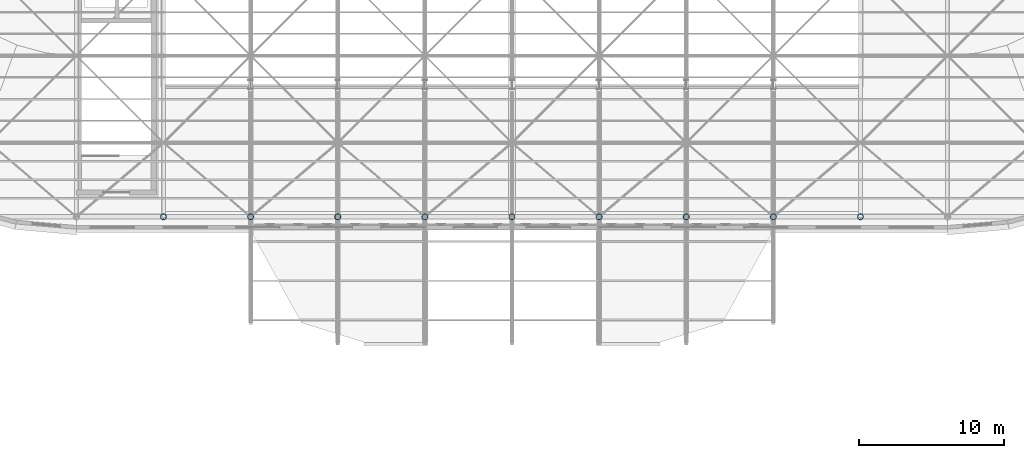
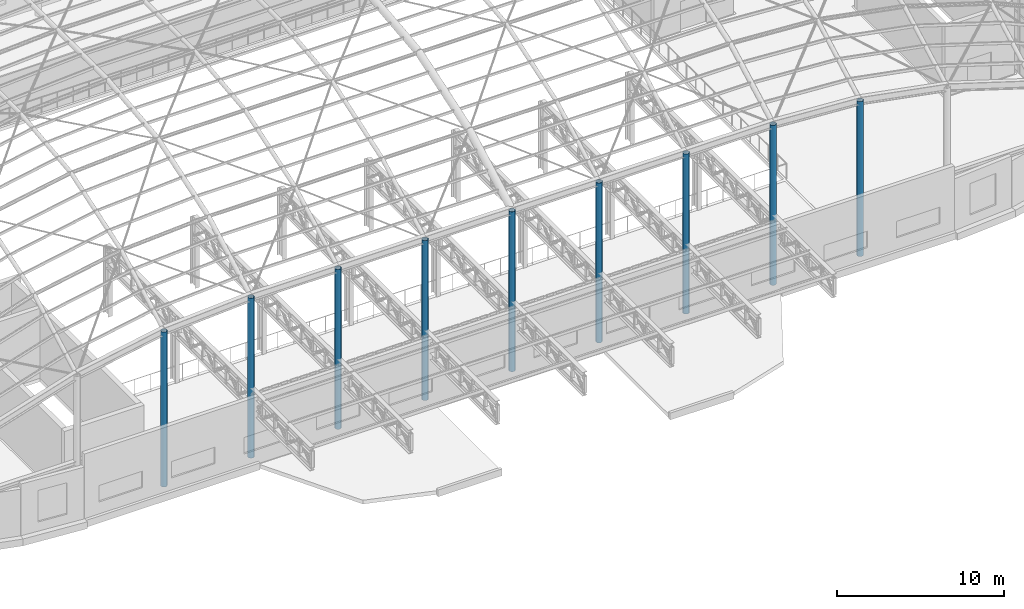
# One storey, part 5 of 75: 9 columns.
"""IFC4 building model written with IfcOpenShell, lengths in metres."""

from ifc_helpers import new_model, si_unit, direction, frame, origin, origin_2d, place, context, subcontext, project, spatial, hollow_circle, extrude, material, material_profile, profile_set, type_object, element, save


model = new_model("IFC4")

# Units and contexts
model_context = context("Model", 3, precision=1e-05, world=origin(), true_north=direction((0.0, 1.0)))
body_context = subcontext(model_context, "Body", "Model", "MODEL_VIEW")
ifc_project = project(units=[si_unit("LENGTHUNIT", "METRE"), si_unit("AREAUNIT", "SQUARE_METRE"), si_unit("VOLUMEUNIT", "CUBIC_METRE"), si_unit("PLANEANGLEUNIT", "RADIAN"), si_unit("MASSUNIT", "GRAM", prefix="KILO")], contexts=[model_context])

# Site, building, storey
site_placement = place(None, origin())
site = spatial("IfcSite", under=ifc_project, at=site_placement, CompositionType="ELEMENT")
building_placement = place(site_placement, origin())
building = spatial("IfcBuilding", under=site, at=building_placement, Name="Kolvaren Corner Interchange", CompositionType="ELEMENT")
storey_placement = place(building_placement, frame((0.0, 0.0, 10.5)))
storey = spatial("IfcBuildingStorey", under=building, at=storey_placement, Name="L03", CompositionType="ELEMENT", Elevation=10.5)

# Columns
ifc_material = material(Name="Steel S355", Category="steel")
ifc_material_profile = material_profile(ifc_material, hollow_circle(Radius=0.203125, WallThickness=0.01611328125, at=origin_2d()), Name="CHS 406.4x16.0")
ifc_profile_set = profile_set([ifc_material_profile], Name="Steel S355")
column_type = type_object("IfcColumnType", Name="COL-CHS406", PredefinedType="COLUMN", material=ifc_profile_set)
column_1_placement = place(storey_placement, frame((66.0, 24.89990234375, 0.0), z_axis=(0.0, 0.0, 1.0), x_axis=(1.0, 0.0, 0.0)))
element("IfcColumn", 1, at=column_1_placement, inside=storey, type_object=column_type, Name="Storey L03 Structural Column 0486", PredefinedType="COLUMN", context=body_context, shape_type="SweptSolid", body=[
    extrude(hollow_circle(Radius=0.203125, WallThickness=0.01611328125, at=origin_2d()), origin(), (0.0, 0.0, 1.0), 11.2900390625),
])
for number, where, z_axis, x_axis, name in (
    (2, (72.0, 24.89990234375, 0.0), (0.0, 0.0, 1.0), (1.0, 0.0, 0.0), "Storey L03 Structural Column 0506"),
    (3, (78.0, 24.89990234375, 0.0), (0.0, 0.0, 1.0), (1.0, 0.0, 0.0), "Storey L03 Structural Column 0526"),
    (4, (84.0, 24.89990234375, 0.0), (0.0, 0.0, 1.0), (1.0, 0.0, 0.0), "Storey L03 Structural Column 0546"),
    (5, (90.0, 24.89990234375, 0.0), (0.0, 0.0, 1.0), (1.0, 0.0, 0.0), "Storey L03 Structural Column 0566"),
    (6, (96.0, 24.89990234375, 0.0), (0.0, 0.0, 1.0), (1.0, 0.0, 0.0), "Storey L03 Structural Column 0586"),
    (7, (102.0, 24.89990234375, 0.0), (0.0, 0.0, 1.0), (1.0, 0.0, 0.0), "Storey L03 Structural Column 0606"),
    (8, (108.0, 24.89990234375, 0.0), (0.0, 0.0, 1.0), (1.0, 0.0, 0.0), "Storey L03 Structural Column 0626"),
):
    element("IfcColumn", number, at=place(storey_placement, frame(where, z_axis=z_axis, x_axis=x_axis)), inside=storey, type_object=column_type, Name=name, PredefinedType="COLUMN", context=body_context, shape_type="SweptSolid", body=[
        extrude(hollow_circle(Radius=0.203125, WallThickness=0.01611328125, at=origin_2d()), origin(), (0.0, 0.0, 1.0), 11.6650390625),
    ])
column_2_placement = place(storey_placement, frame((114.0, 24.89990234375, 0.0), z_axis=(0.0, 0.0, 1.0), x_axis=(1.0, 0.0, 0.0)))
element("IfcColumn", 9, at=column_2_placement, inside=storey, type_object=column_type, Name="Storey L03 Structural Column 0646", PredefinedType="COLUMN", context=body_context, shape_type="SweptSolid", body=[
    extrude(hollow_circle(Radius=0.203125, WallThickness=0.01611328125, at=origin_2d()), origin(), (0.0, 0.0, 1.0), 11.2900390625),
])

save(model, "model.ifc")
